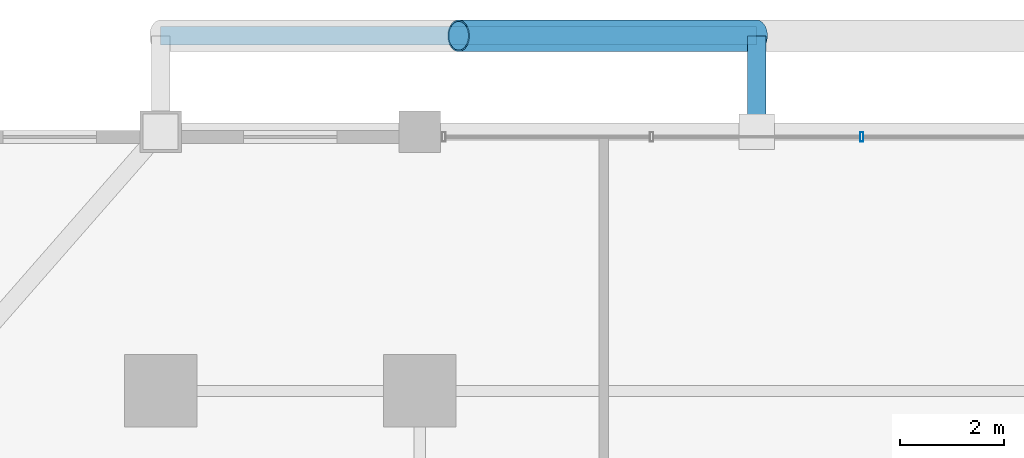
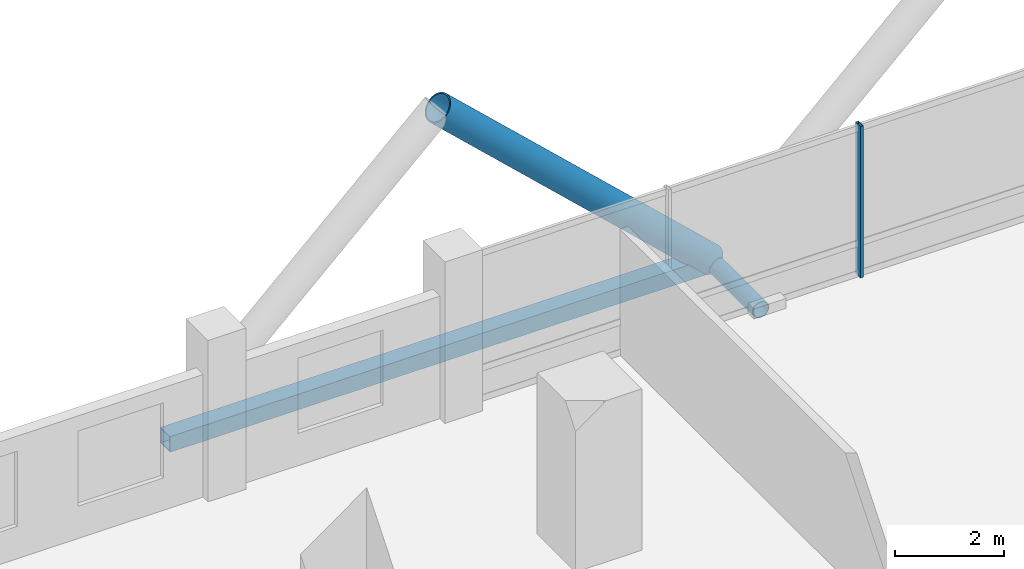
# One storey, part 16 of 27: 4 members, 1 element without a shape of its own.
"""IFC4 building model written with IfcOpenShell, lengths in metres."""

from ifc_helpers import new_model, si_unit, direction, frame, origin, origin_2d, place, context, subcontext, project, spatial, hollow_rectangle, hollow_circle, extrude, material, layer, layer_set, material_profile, profile_set, type_object, element, aggregate, save


model = new_model("IFC4")

# Units and contexts
model_context = context("Model", 3, precision=1e-05, world=origin(), true_north=direction((0.0, 1.0)))
body_context = subcontext(model_context, "Body", "Model", "MODEL_VIEW")
ifc_project = project(units=[si_unit("LENGTHUNIT", "METRE"), si_unit("AREAUNIT", "SQUARE_METRE"), si_unit("VOLUMEUNIT", "CUBIC_METRE"), si_unit("PLANEANGLEUNIT", "RADIAN"), si_unit("MASSUNIT", "GRAM", prefix="KILO")], contexts=[model_context])

# Site, building, storey
site_placement = place(None, origin())
site = spatial("IfcSite", under=ifc_project, at=site_placement, CompositionType="ELEMENT")
building_placement = place(site_placement, origin())
building = spatial("IfcBuilding", under=site, at=building_placement, Name="Barlavira Tower and Art Museum", CompositionType="ELEMENT")
storey_placement = place(building_placement, frame((0.0, 0.0, 50.39990234375)))
storey = spatial("IfcBuildingStorey", under=building, at=storey_placement, Name="L11", CompositionType="ELEMENT", Elevation=50.39990234375)

# Curtain wall, member
ifc_material_1 = material(Name="Low-iron coastal laminated glass", Category="glass")
ifc_layer = layer(ifc_material_1, 0.179931640625, Name="Low-iron coastal laminated glass")
ifc_layer_set = layer_set([ifc_layer], Name="Low-iron coastal laminated glass")
curtain_wall_type = type_object("IfcCurtainWallType", Name="Pale-Metal Unitised Curtain Wall Zone 1", PredefinedType="NOTDEFINED", material=ifc_layer_set)
curtain_wall_placement = place(storey_placement, origin())
curtain_wall = element("IfcCurtainWall", 1, at=curtain_wall_placement, inside=storey, type_object=curtain_wall_type, Name="L11 Curtain Wall CW1-L11-N-B3", PredefinedType="NOTDEFINED")
ifc_material_2 = material(Name="Pale anodised aluminium", Category="aluminium")
ifc_material_profile_1 = material_profile(ifc_material_2, hollow_rectangle(XDim=0.06494140625, YDim=0.179931640625, WallThickness=0.00390625, at=origin_2d()), Name="ALU-MULL 65x180x4")
ifc_profile_set_1 = profile_set([ifc_material_profile_1], Name="Pale anodised aluminium")
member_type_1 = type_object("IfcMemberType", Name="Curtain Wall Pale-Metal Mullion 65x180", PredefinedType="MULLION", material=ifc_profile_set_1)
member_1_placement = place(storey_placement, frame((2.026611328125, 24.89990234375, 0.0), z_axis=(0.0, 0.0, 1.0), x_axis=(-1.0, 0.0, 0.0)))
member_1 = element("IfcMember", 2, at=member_1_placement, type_object=member_type_1, Name="CW1-L11-N-B3 Mullion 1", PredefinedType="MULLION", context=body_context, shape_type="SweptSolid", body=[
    extrude(hollow_rectangle(XDim=0.06494140625, YDim=0.179931640625, WallThickness=0.00390625, at=origin_2d()), origin(), (0.0, 0.0, 1.0), 3.380126953125),
])
aggregate(curtain_wall, [member_1])

# Members
ifc_material_3 = material(Name="Steel S355", Category="steel")
ifc_material_profile_2 = material_profile(ifc_material_3, hollow_circle(Radius=0.304931640625, WallThickness=0.028076171875, at=origin_2d()), Name="CHS 610.0x28.0")
ifc_profile_set_2 = profile_set([ifc_material_profile_2], Name="Steel S355")
member_type_2 = type_object("IfcMemberType", Name="Pale-Metal Exoskeleton Diagrid Tube CHS 610x28 Steel S355", PredefinedType="BRACE", material=ifc_profile_set_2)
member_2_placement = place(storey_placement, frame((0.0, 26.85009765625, -0.119873046875), z_axis=(-0.728950095515, 0.0, 0.684566839869), x_axis=(0.0, -1.0, 0.0)))
element("IfcMember", 3, at=member_2_placement, inside=storey, type_object=member_type_2, Name="L11 Exoskeleton Diagrid Tube N", PredefinedType="BRACE", context=body_context, shape_type="SweptSolid", body=[
    extrude(hollow_circle(Radius=0.304931640625, WallThickness=0.028076171875, at=origin_2d()), origin(), (0.0, 0.0, 1.0), 7.887939453125),
])
ifc_material_profile_3 = material_profile(ifc_material_3, hollow_rectangle(XDim=0.35009765625, YDim=0.35009765625, WallThickness=0.02001953125, at=origin_2d()), Name="SHS 350x350x20.0")
ifc_profile_set_3 = profile_set([ifc_material_profile_3], Name="Steel S355")
member_type_3 = type_object("IfcMemberType", Name="Pale-Metal Exoskeleton Ring Strut SHS 350x350x20 Steel S355", PredefinedType="STRUT", material=ifc_profile_set_3)
member_3_placement = place(storey_placement, frame((-11.5, 26.85009765625, -0.119873046875), z_axis=(1.0, 0.0, 0.0), x_axis=(0.0, 1.0, 0.0)))
element("IfcMember", 4, at=member_3_placement, inside=storey, type_object=member_type_3, Name="L11 Exoskeleton Ring Strut N", PredefinedType="STRUT", context=body_context, shape_type="SweptSolid", body=[
    extrude(hollow_rectangle(XDim=0.35009765625, YDim=0.35009765625, WallThickness=0.02001953125, at=origin_2d()), origin(), (0.0, 0.0, 1.0), 11.5),
])
ifc_material_profile_4 = material_profile(ifc_material_3, hollow_circle(Radius=0.177734375, WallThickness=0.01611328125, at=origin_2d()), Name="CHS 355.6x16.0")
ifc_profile_set_4 = profile_set([ifc_material_profile_4], Name="Steel S355")
member_type_4 = type_object("IfcMemberType", Name="Pale-Metal Exoskeleton Tie Strut CHS 356x16 Steel S355", PredefinedType="STRUT", material=ifc_profile_set_4)
member_4_placement = place(storey_placement, frame((0.0, 26.85009765625, -0.119873046875), z_axis=(0.0, -1.0, 0.0), x_axis=(1.0, 0.0, 0.0)))
element("IfcMember", 5, at=member_4_placement, inside=storey, type_object=member_type_4, Name="L11 Exoskeleton Tie Strut N2", PredefinedType="STRUT", context=body_context, shape_type="SweptSolid", body=[
    extrude(hollow_circle(Radius=0.177734375, WallThickness=0.01611328125, at=origin_2d()), origin(), (0.0, 0.0, 1.0), 1.85009765625),
])

save(model, "model.ifc")
